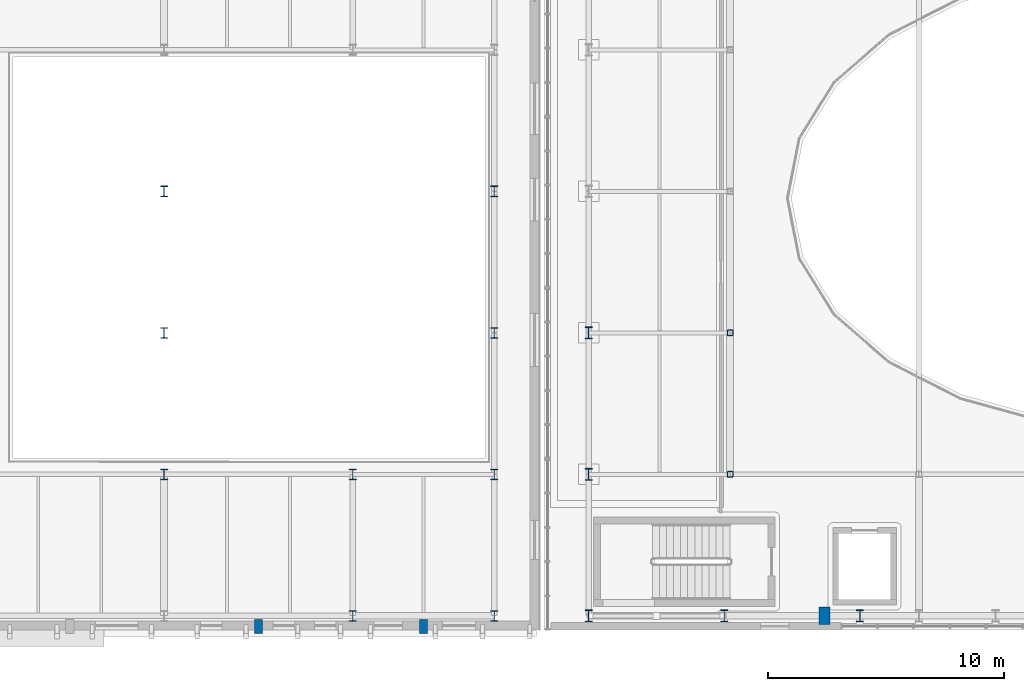
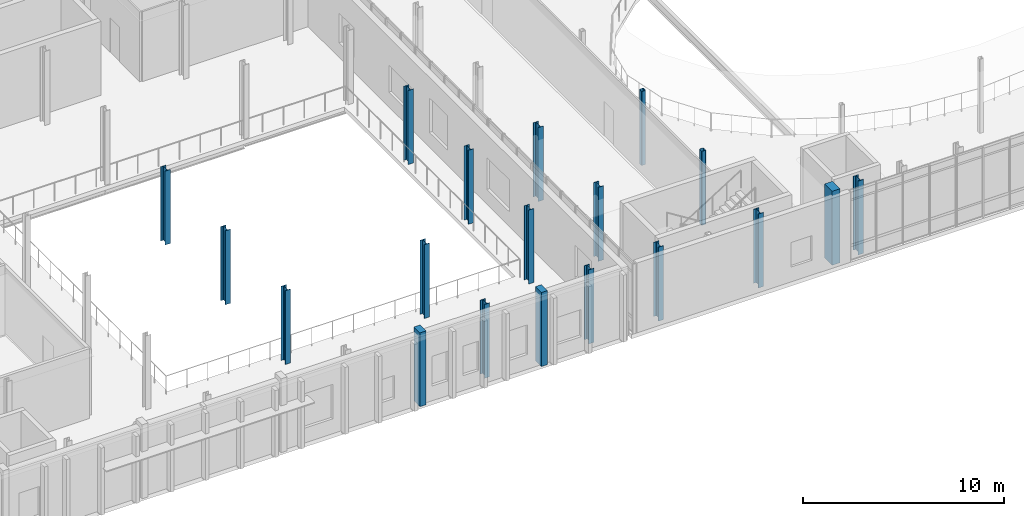
# One storey, part 2 of 100: 19 columns.
"""IFC4 building model written with IfcOpenShell, lengths in metres."""

from ifc_helpers import new_model, si_unit, direction, frame, origin, origin_2d, place, context, subcontext, project, spatial, rectangle, hollow_rectangle, i_section, extrude, material, material_profile, profile_set, type_object, element, save


model = new_model("IFC4")

# Units and contexts
model_context = context("Model", 3, precision=1e-05, world=origin(), true_north=direction((0.0, 1.0)))
body_context = subcontext(model_context, "Body", "Model", "MODEL_VIEW")
ifc_project = project(units=[si_unit("LENGTHUNIT", "METRE"), si_unit("AREAUNIT", "SQUARE_METRE"), si_unit("VOLUMEUNIT", "CUBIC_METRE"), si_unit("PLANEANGLEUNIT", "RADIAN"), si_unit("MASSUNIT", "GRAM", prefix="KILO")], contexts=[model_context])

# Site, building, storey
site_placement = place(None, origin())
site = spatial("IfcSite", under=ifc_project, at=site_placement, CompositionType="ELEMENT")
building_placement = place(site_placement, origin())
building = spatial("IfcBuilding", under=site, at=building_placement, Name="Cymarion Research Institute", CompositionType="ELEMENT")
storey_placement = place(building_placement, frame((0.0, 0.0, 9.300048828125)))
storey = spatial("IfcBuildingStorey", under=building, at=storey_placement, Name="L02", CompositionType="ELEMENT", Elevation=9.300048828125)

# Columns
ifc_material_1 = material(Name="Concrete C40/50", Category="concrete")
ifc_material_profile_1 = material_profile(ifc_material_1, rectangle(XDim=0.35009765625, YDim=0.60009765625, at=origin_2d()), Name="RC 350x600")
ifc_profile_set_1 = profile_set([ifc_material_profile_1], Name="Concrete C40/50")
column_type_1 = type_object("IfcColumnType", Name="CONCRETE PILASTER PL01 RC 350x600", PredefinedType="PILASTER", material=ifc_profile_set_1)
for number, where, z_axis, x_axis, name in (
    (1, (42.60009765625, 5.050048828125, 0.0), (0.0, 0.0, 1.0), (1.0, 0.0, 0.0), "L02 V3 column PL01 #742"),
    (2, (49.60009765625, 5.050048828125, 0.0), (0.0, 0.0, 1.0), (1.0, 0.0, 0.0), "L02 V3 column PL01 #759"),
):
    element("IfcColumn", number, at=place(storey_placement, frame(where, z_axis=z_axis, x_axis=x_axis)), inside=storey, type_object=column_type_1, Name=name, PredefinedType="PILASTER", context=body_context, shape_type="SweptSolid", body=[
        extrude(rectangle(XDim=0.35009765625, YDim=0.60009765625, at=origin_2d()), origin(), (0.0, 0.0, 1.0), 4.5),
    ])
ifc_material_profile_2 = material_profile(ifc_material_1, rectangle(XDim=0.449951171875, YDim=0.75, at=origin_2d()), Name="RC 450x750")
ifc_profile_set_2 = profile_set([ifc_material_profile_2], Name="Concrete C40/50")
column_type_2 = type_object("IfcColumnType", Name="CONCRETE PILASTER PL03 RC 450x750", PredefinedType="PILASTER", material=ifc_profile_set_2)
column_placement = place(storey_placement, frame((66.60009765625, 5.5, 0.0), z_axis=(0.0, 0.0, 1.0), x_axis=(1.0, 0.0, 0.0)))
element("IfcColumn", 3, at=column_placement, inside=storey, type_object=column_type_2, Name="L02 V2 column PL03 #781", PredefinedType="PILASTER", context=body_context, shape_type="SweptSolid", body=[
    extrude(rectangle(XDim=0.449951171875, YDim=0.75, at=origin_2d()), origin(), (0.0, 0.0, 1.0), 4.5),
])
ifc_material_2 = material(Name="Steel S355", Category="steel")
ifc_material_profile_3 = material_profile(ifc_material_2, i_section(OverallWidth=0.300048828125, OverallDepth=0.5, WebThickness=0.014404296875, FlangeThickness=0.028076171875, FilletRadius=0.027099609375, at=origin_2d()), Name="HEB 500")
ifc_profile_set_3 = profile_set([ifc_material_profile_3], Name="Steel S355")
column_type_3 = type_object("IfcColumnType", Name="STRUCTURAL COLUMN C04 HEB 500", PredefinedType="COLUMN", material=ifc_profile_set_3)
for number, where, z_axis, x_axis, name in (
    (4, (56.60009765625, 5.5, 0.0), (0.0, 0.0, 1.0), (1.0, 0.0, 0.0), "L02 V2 column C04 #767"),
    (5, (56.60009765625, 11.5, 0.0), (0.0, 0.0, 1.0), (1.0, 0.0, 0.0), "L02 V2 column C04 #768"),
    (6, (56.60009765625, 17.5, 0.0), (0.0, 0.0, 1.0), (1.0, 0.0, 0.0), "L02 V2 column C04 #769"),
    (7, (62.35009765625, 5.5, 0.0), (0.0, 0.0, 1.0), (1.0, 0.0, 0.0), "L02 V2 column C04 #774"),
    (8, (68.10009765625, 5.5, 0.0), (0.0, 0.0, 1.0), (1.0, 0.0, 0.0), "L02 V2 column C04 #782"),
):
    element("IfcColumn", number, at=place(storey_placement, frame(where, z_axis=z_axis, x_axis=x_axis)), inside=storey, type_object=column_type_3, Name=name, PredefinedType="COLUMN", context=body_context, shape_type="SweptSolid", body=[
        extrude(i_section(OverallWidth=0.300048828125, OverallDepth=0.5, WebThickness=0.014404296875, FlangeThickness=0.028076171875, FilletRadius=0.027099609375, at=origin_2d()), origin(), (0.0, 0.0, 1.0), 4.5),
    ])
ifc_material_profile_4 = material_profile(ifc_material_2, i_section(OverallWidth=0.300048828125, OverallDepth=0.449951171875, WebThickness=0.013916015625, FlangeThickness=0.02587890625, FilletRadius=0.027099609375, at=origin_2d()), Name="HEB 450")
ifc_profile_set_4 = profile_set([ifc_material_profile_4], Name="Steel S355")
column_type_4 = type_object("IfcColumnType", Name="STRUCTURAL COLUMN C05 HEB 450", PredefinedType="COLUMN", material=ifc_profile_set_4)
for number, where, z_axis, x_axis, name in (
    (9, (38.60009765625, 11.5, 0.0), (0.0, 0.0, 1.0), (1.0, 0.0, 0.0), "L02 V3 column C05 #725"),
    (10, (38.60009765625, 17.5, 0.0), (0.0, 0.0, 1.0), (1.0, 0.0, 0.0), "L02 V3 column C05 #726"),
    (11, (38.60009765625, 23.5, 0.0), (0.0, 0.0, 1.0), (1.0, 0.0, 0.0), "L02 V3 column C05 #727"),
    (12, (46.60009765625, 5.5, 0.0), (0.0, 0.0, 1.0), (1.0, 0.0, 0.0), "L02 V3 column C05 #746"),
    (13, (46.60009765625, 11.5, 0.0), (0.0, 0.0, 1.0), (1.0, 0.0, 0.0), "L02 V3 column C05 #747"),
    (14, (52.60009765625, 5.5, 0.0), (0.0, 0.0, 1.0), (1.0, 0.0, 0.0), "L02 V3 column C05 #760"),
    (15, (52.60009765625, 11.5, 0.0), (0.0, 0.0, 1.0), (1.0, 0.0, 0.0), "L02 V3 column C05 #761"),
    (16, (52.60009765625, 17.5, 0.0), (0.0, 0.0, 1.0), (1.0, 0.0, 0.0), "L02 V3 column C05 #762"),
    (17, (52.60009765625, 23.5, 0.0), (0.0, 0.0, 1.0), (1.0, 0.0, 0.0), "L02 V3 column C05 #763"),
):
    element("IfcColumn", number, at=place(storey_placement, frame(where, z_axis=z_axis, x_axis=x_axis)), inside=storey, type_object=column_type_4, Name=name, PredefinedType="COLUMN", context=body_context, shape_type="SweptSolid", body=[
        extrude(i_section(OverallWidth=0.300048828125, OverallDepth=0.449951171875, WebThickness=0.013916015625, FlangeThickness=0.02587890625, FilletRadius=0.027099609375, at=origin_2d()), origin(), (0.0, 0.0, 1.0), 4.5),
    ])
ifc_material_profile_5 = material_profile(ifc_material_2, hollow_rectangle(XDim=0.25, YDim=0.25, WallThickness=0.012451171875, InnerFilletRadius=0.018798828125, OuterFilletRadius=0.03125, at=origin_2d()), Name="SHS 250x250x12.5")
ifc_profile_set_5 = profile_set([ifc_material_profile_5], Name="Steel S355")
column_type_5 = type_object("IfcColumnType", Name="STRUCTURAL COLUMN C15 SHS 250x250x12.5", PredefinedType="COLUMN", material=ifc_profile_set_5)
for number, where, z_axis, x_axis, name in (
    (18, (62.60009765625, 11.5, 0.0), (0.0, 0.0, 1.0), (1.0, 0.0, 0.0), "L02 V2 column C15 #776"),
    (19, (62.60009765625, 17.5, 0.0), (0.0, 0.0, 1.0), (1.0, 0.0, 0.0), "L02 V2 column C15 #777"),
):
    element("IfcColumn", number, at=place(storey_placement, frame(where, z_axis=z_axis, x_axis=x_axis)), inside=storey, type_object=column_type_5, Name=name, PredefinedType="COLUMN", context=body_context, shape_type="SweptSolid", body=[
        extrude(hollow_rectangle(XDim=0.25, YDim=0.25, WallThickness=0.012451171875, InnerFilletRadius=0.018798828125, OuterFilletRadius=0.03125, at=origin_2d()), origin(), (0.0, 0.0, 1.0), 4.5),
    ])

save(model, "model.ifc")
